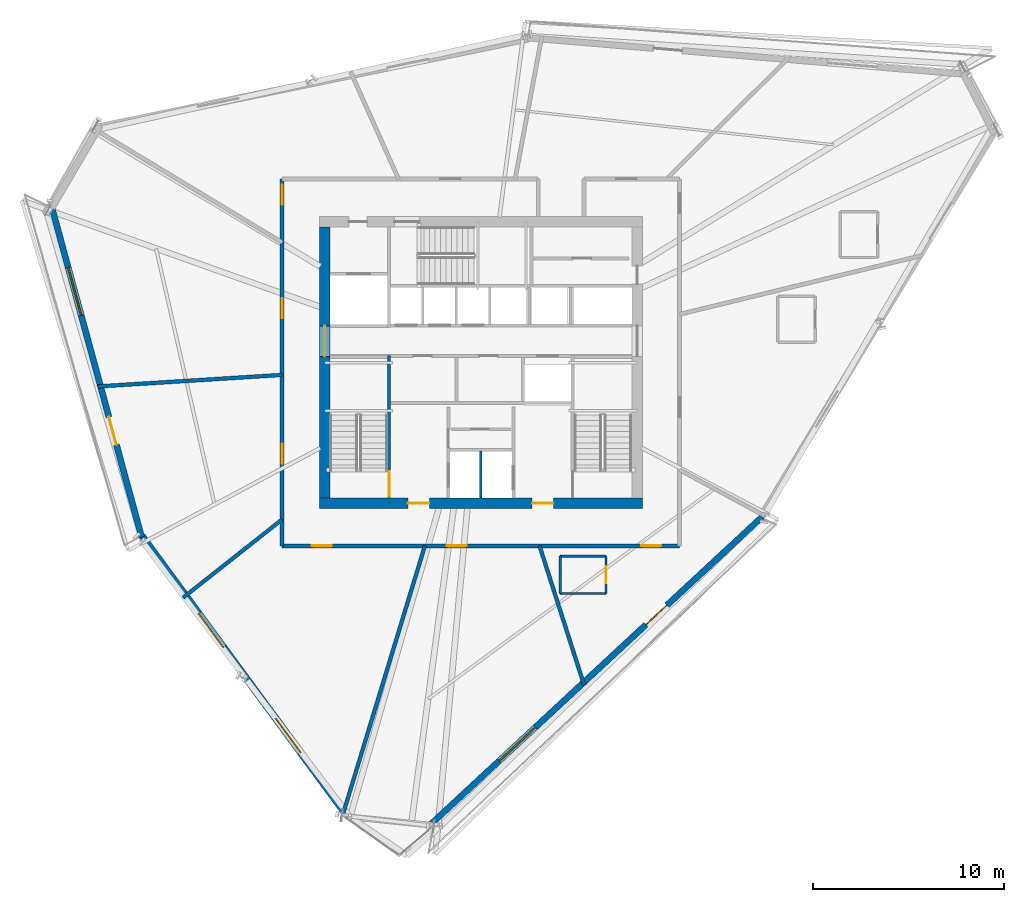
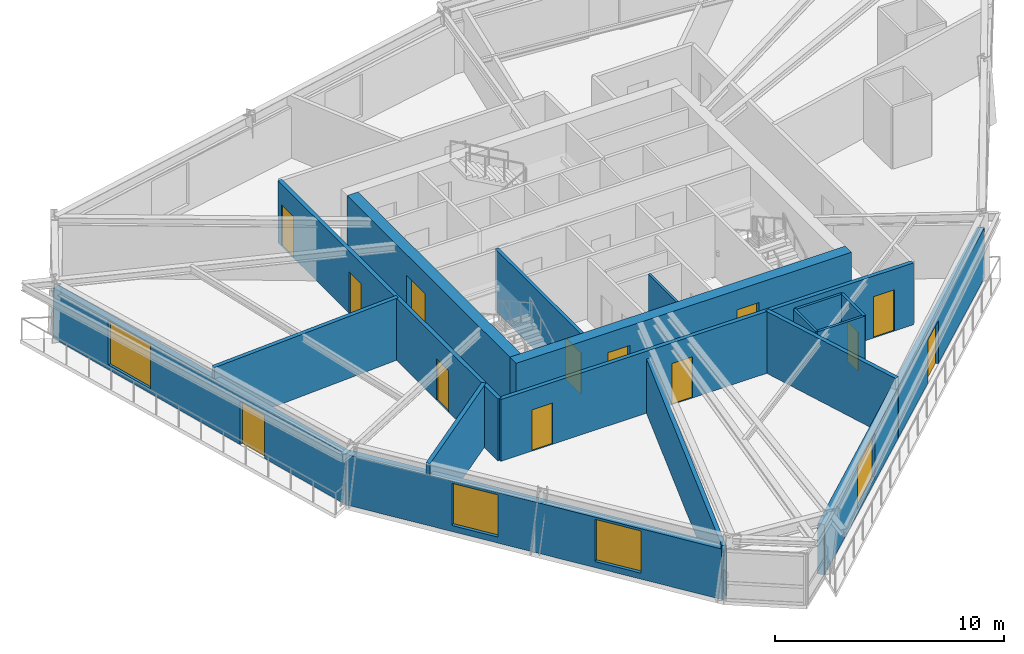
# One storey, part 9 of 15: 17 walls, 13 doors, 4 windows, 17 openings.
"""IFC4 building model written with IfcOpenShell, lengths in metres."""

from ifc_helpers import new_model, si_unit, direction, frame, frame_2d, origin, place, context, subcontext, project, spatial, rectangle, extrude, source, transform, mapped, material, layer, layer_set, type_object, type_shapes, element, fill, save


model = new_model("IFC4")

# Units and contexts
model_context = context("Model", 3, precision=1e-05, world=origin(), true_north=direction((0.0, 1.0)))
body_context = subcontext(model_context, "Body", "Model", "MODEL_VIEW")
ifc_project = project(units=[si_unit("LENGTHUNIT", "METRE"), si_unit("AREAUNIT", "SQUARE_METRE"), si_unit("VOLUMEUNIT", "CUBIC_METRE"), si_unit("PLANEANGLEUNIT", "RADIAN"), si_unit("MASSUNIT", "GRAM", prefix="KILO")], contexts=[model_context])

# Site, building, storey
site_placement = place(None, origin())
site = spatial("IfcSite", under=ifc_project, at=site_placement, CompositionType="ELEMENT")
building_placement = place(site_placement, origin())
building = spatial("IfcBuilding", under=site, at=building_placement, Name="Olszyna Solenne Hotel", CompositionType="ELEMENT")
storey_placement = place(building_placement, frame((0.0, 0.0, 146.60009765625)))
storey = spatial("IfcBuildingStorey", under=building, at=storey_placement, Name="L38", CompositionType="ELEMENT", Elevation=146.60009765625)

# Wall, openings, doors
ifc_material_1 = material(Name="Concrete C50/60", Category="concrete")
ifc_layer_1 = layer(ifc_material_1, 0.550048828125, Name="Concrete C50/60")
ifc_layer_set_1 = layer_set([ifc_layer_1], Name="Concrete C50/60")
wall_type_1 = type_object("IfcWallType", Name="WL-CR550", PredefinedType="SHEAR", material=ifc_layer_set_1)
wall_1_placement = place(storey_placement, frame((46.449951171875, 19.22509765625, 0.0), z_axis=(0.0, 0.0, 1.0), x_axis=(-1.0, 0.0, 0.0)))
wall_1 = element("IfcWall", 1, at=wall_1_placement, inside=storey, type_object=wall_type_1, Name="Core shear wall WL-CR550 CRW-L38-S", PredefinedType="SHEAR", context=body_context, shape_type="SweptSolid", body=[
    extrude(rectangle(XDim=16.89990234375, YDim=0.550048828125, at=frame_2d((8.449951171875, 0.0))), origin(), (0.0, 0.0, 1.0), 3.2998046875),
])
opening_1_placement = place(wall_1_placement, frame((4.64990234375, 0.0, 0.0)))
opening_1 = element("IfcOpeningElement", 2, at=opening_1_placement, cuts=wall_1, Name="Opening FL-L38-1", PredefinedType="OPENING", context=body_context, shape_type="SweptSolid", body=[
    extrude(rectangle(XDim=1.1201171875, YDim=2.25, at=frame_2d((0.56005859375, 1.125))), frame((0.0, 0.28515625, 0.0), z_axis=(0.0, -1.0, 0.0), x_axis=(1.0, 0.0, 0.0)), (0.0, 0.0, 1.0), 0.570068359375),
])
opening_2_placement = place(wall_1_placement, frame((11.14990234375, 0.0, 0.0)))
opening_2 = element("IfcOpeningElement", 3, at=opening_2_placement, cuts=wall_1, Name="Opening FL-L38-2", PredefinedType="OPENING", context=body_context, shape_type="SweptSolid", body=[
    extrude(rectangle(XDim=1.1201171875, YDim=2.25, at=frame_2d((0.56005859375, 1.125))), frame((0.0, 0.28515625, 0.0), z_axis=(0.0, -1.0, 0.0), x_axis=(1.0, 0.0, 0.0)), (0.0, 0.0, 1.0), 0.570068359375),
])
ifc_material_2 = material(Name="Steel S355J2", Category="steel")
door_type_1 = type_object("IfcDoorType", Name="DR-FL1", OperationType="NOTDEFINED", PredefinedType="DOOR", material=ifc_material_2)
shared_shape_1 = source(origin(), body_context, "Body", "SweptSolid", [
    extrude(rectangle(XDim=1.1201171875, YDim=2.25, at=frame_2d((0.56005859375, 1.125))), frame((0.0, 0.02490234375, 0.0), z_axis=(0.0, -1.0, 0.0), x_axis=(1.0, 0.0, 0.0)), (0.0, 0.0, 1.0), 0.050048828125),
])
type_shapes(door_type_1, [shared_shape_1])
door_1_placement = place(opening_1_placement, origin())
door_1 = element("IfcDoor", 4, at=door_1_placement, inside=storey, type_object=door_type_1, Name="Firefighting lift lobby smoke door FL-L38-1", OperationType="SINGLE_SWING_LEFT", OverallHeight=2.25, OverallWidth=1.1201171875, PredefinedType="DOOR", context=body_context, shape_type="MappedRepresentation", body=[
    mapped(shared_shape_1, transform((0.0, 0.0, 0.0), x_axis=(1.0, 0.0, 0.0), y_axis=(0.0, 1.0, 0.0), z_axis=(0.0, 0.0, 1.0), scale=1.0)),
])
fill(opening_1, door_1)
door_2_placement = place(opening_2_placement, origin())
door_2 = element("IfcDoor", 5, at=door_2_placement, inside=storey, type_object=door_type_1, Name="Firefighting lift lobby smoke door FL-L38-2", OperationType="SINGLE_SWING_RIGHT", OverallHeight=2.25, OverallWidth=1.1201171875, PredefinedType="DOOR", context=body_context, shape_type="MappedRepresentation", body=[
    mapped(shared_shape_1, transform((0.0, 0.0, 0.0), x_axis=(1.0, 0.0, 0.0), y_axis=(0.0, 1.0, 0.0), z_axis=(0.0, 0.0, 1.0), scale=1.0)),
])
fill(opening_2, door_2)

# Wall, opening, door
wall_2_placement = place(storey_placement, frame((29.824951171875, 19.5, 0.0), z_axis=(0.0, 0.0, 1.0), x_axis=(0.0, 1.0, 0.0)))
wall_2 = element("IfcWall", 6, at=wall_2_placement, inside=storey, type_object=wall_type_1, Name="Core shear wall WL-CR550 CRW-L38-W", PredefinedType="SHEAR", context=body_context, shape_type="SweptSolid", body=[
    extrude(rectangle(XDim=14.199951171875, YDim=0.550048828125, at=frame_2d((7.10009765625, 0.0))), origin(), (0.0, 0.0, 1.0), 3.2998046875),
])
opening_3_placement = place(wall_2_placement, frame((7.419921875, 0.0, 0.0)))
opening_3 = element("IfcOpeningElement", 7, at=opening_3_placement, cuts=wall_2, Name="Opening LHD-L38-W", PredefinedType="OPENING", context=body_context, shape_type="SweptSolid", body=[
    extrude(rectangle(XDim=1.60009765625, YDim=2.199951171875, at=frame_2d((0.800048828125, 1.10009765625))), frame((0.0, 0.28515625, 0.0), z_axis=(0.0, -1.0, 0.0), x_axis=(1.0, 0.0, 0.0)), (0.0, 0.0, 1.0), 0.570068359375),
])
ifc_material_3 = material(Name="Timber hardwood", Category="wood")
door_type_2 = type_object("IfcDoorType", Name="DR-CR1", OperationType="DOUBLE_DOOR_SINGLE_SWING", PredefinedType="DOOR", material=ifc_material_3)
shared_shape_2 = source(origin(), body_context, "Body", "SweptSolid", [
    extrude(rectangle(XDim=1.60009765625, YDim=2.199951171875, at=frame_2d((0.800048828125, 1.10009765625))), frame((0.0, 0.02490234375, 0.0), z_axis=(0.0, -1.0, 0.0), x_axis=(1.0, 0.0, 0.0)), (0.0, 0.0, 1.0), 0.050048828125),
])
type_shapes(door_type_2, [shared_shape_2])
door_3_placement = place(opening_3_placement, origin())
door_3 = element("IfcDoor", 8, at=door_3_placement, inside=storey, type_object=door_type_2, Name="Passenger lift lobby West fire door LHD-L38-W", OperationType="DOUBLE_DOOR_SINGLE_SWING", OverallHeight=2.199951171875, OverallWidth=1.60009765625, PredefinedType="DOOR", context=body_context, shape_type="MappedRepresentation", body=[
    mapped(shared_shape_2, transform((0.0, 0.0, 0.0), x_axis=(1.0, 0.0, 0.0), y_axis=(0.0, 1.0, 0.0), z_axis=(0.0, 0.0, 1.0), scale=1.0)),
])
fill(opening_3, door_3)

# Wall, openings, door, window
ifc_material_4 = material(Name="Precast concrete C45/55", Category="concrete")
ifc_layer_2 = layer(ifc_material_4, 0.320068359375, Name="Precast concrete C45/55")
ifc_layer_set_2 = layer_set([ifc_layer_2], Name="Precast concrete C45/55")
wall_type_2 = type_object("IfcWallType", Name="WL-EX320", PredefinedType="SOLIDWALL", material=ifc_layer_set_2)
wall_3_placement = place(storey_placement, frame((52.729736328125, 18.531982421875, 0.0), z_axis=(0.0, 0.0, 1.0), x_axis=(-0.73309626957, -0.680124885255, 0.0)))
wall_3 = element("IfcWall", 9, at=wall_3_placement, inside=storey, type_object=wall_type_2, Name="Exterior terracotta-precast frame wall WL-EX320 EW-L38-01", PredefinedType="SOLIDWALL", context=body_context, shape_type="SweptSolid", body=[
    extrude(rectangle(XDim=23.6298828125, YDim=0.320068359375, at=frame_2d((11.81494140625, 0.0))), origin(), (0.0, 0.0, 1.0), 2.69189453125),
])
opening_4_placement = place(wall_3_placement, frame((6.81201171875, 0.0, 0.0)))
opening_4 = element("IfcOpeningElement", 10, at=opening_4_placement, cuts=wall_3, Name="Opening LDG-L38-3", PredefinedType="OPENING", context=body_context, shape_type="SweptSolid", body=[
    extrude(rectangle(XDim=1.5, YDim=2.300048828125, at=frame_2d((0.75, 1.14990234375))), frame((0.0, 0.169921875, 0.0), z_axis=(0.0, -1.0, 0.0), x_axis=(1.0, 0.0, 0.0)), (0.0, 0.0, 1.0), 0.340087890625),
])
opening_5_placement = place(wall_3_placement, frame((16.18603515625, 0.0, 0.25)))
opening_5 = element("IfcOpeningElement", 11, at=opening_5_placement, cuts=wall_3, Name="Opening WN-L38-225", PredefinedType="OPENING", context=body_context, shape_type="SweptSolid", body=[
    extrude(rectangle(XDim=2.60009765625, YDim=2.35009765625, at=frame_2d((1.300048828125, 1.175048828125))), frame((0.0, 0.169921875, 0.0), z_axis=(0.0, -1.0, 0.0), x_axis=(1.0, 0.0, 0.0)), (0.0, 0.0, 1.0), 0.340087890625),
])
ifc_material_5 = material(Name="Anodised bronze aluminium", Category="aluminium")
door_type_3 = type_object("IfcDoorType", Name="DR-LG2", OperationType="DOUBLE_DOOR_SINGLE_SWING", PredefinedType="DOOR", material=ifc_material_5)
shared_shape_3 = source(origin(), body_context, "Body", "SweptSolid", [
    extrude(rectangle(XDim=1.5, YDim=2.300048828125, at=frame_2d((0.75, 1.14990234375))), frame((0.0, 0.02490234375, 0.0), z_axis=(0.0, -1.0, 0.0), x_axis=(1.0, 0.0, 0.0)), (0.0, 0.0, 1.0), 0.050048828125),
])
type_shapes(door_type_3, [shared_shape_3])
door_4_placement = place(opening_4_placement, origin())
door_4 = element("IfcDoor", 12, at=door_4_placement, inside=storey, type_object=door_type_3, Name="Exterior loggia balcony door DR-LG2 LDG-L38-3", OperationType="DOUBLE_DOOR_SINGLE_SWING", OverallHeight=2.300048828125, OverallWidth=1.5, PredefinedType="DOOR", context=body_context, shape_type="MappedRepresentation", body=[
    mapped(shared_shape_3, transform((0.0, 0.0, 0.0), x_axis=(1.0, 0.0, 0.0), y_axis=(0.0, 1.0, 0.0), z_axis=(0.0, 0.0, 1.0), scale=1.0)),
])
fill(opening_4, door_4)
ifc_material_6 = material(Name="Low-E triple glazing", Category="glass")
window_type_1 = type_object("IfcWindowType", Name="WN-ST1", PartitioningType="SINGLE_PANEL", PredefinedType="WINDOW", material=ifc_material_6)
shared_shape_4 = source(origin(), body_context, "Body", "SweptSolid", [
    extrude(rectangle(XDim=2.60009765625, YDim=2.35009765625, at=frame_2d((1.300048828125, 1.175048828125))), frame((0.0, 0.030029296875, 0.0), z_axis=(0.0, -1.0, 0.0), x_axis=(1.0, 0.0, 0.0)), (0.0, 0.0, 1.0), 0.06005859375),
])
type_shapes(window_type_1, [shared_shape_4])
window_1_placement = place(opening_5_placement, origin())
window_1 = element("IfcWindow", 13, at=window_1_placement, inside=storey, type_object=window_type_1, Name="Loggia room window WN-ST1 WN-L38-225", OverallHeight=2.35009765625, OverallWidth=2.60009765625, PartitioningType="SINGLE_PANEL", PredefinedType="WINDOW", context=body_context, shape_type="MappedRepresentation", body=[
    mapped(shared_shape_4, transform((0.0, 0.0, 0.0), x_axis=(1.0, 0.0, 0.0), y_axis=(0.0, 1.0, 0.0), z_axis=(0.0, 0.0, 1.0), scale=1.0)),
])
fill(opening_5, window_1)

wall_4_placement = place(storey_placement, frame((20.24951171875, 17.46044921875, 0.0), z_axis=(0.0, 0.0, 1.0), x_axis=(-0.262728395916, 0.964869830588, 0.0)))
wall_4 = element("IfcWall", 14, at=wall_4_placement, inside=storey, type_object=wall_type_2, Name="Exterior terracotta-precast frame wall WL-EX320 EW-L38-05", PredefinedType="SOLIDWALL", context=body_context, shape_type="SweptSolid", body=[
    extrude(rectangle(XDim=18.00341796875, YDim=0.320068359375, at=frame_2d((9.001708984375, 0.0))), origin(), (0.0, 0.0, 1.0), 2.69189453125),
])
opening_6_placement = place(wall_4_placement, frame((5.010986328125, 0.0, 0.0)))
opening_6 = element("IfcOpeningElement", 15, at=opening_6_placement, cuts=wall_4, Name="Opening LDG-L38-2", PredefinedType="OPENING", context=body_context, shape_type="SweptSolid", body=[
    extrude(rectangle(XDim=1.5, YDim=2.300048828125, at=frame_2d((0.75, 1.14990234375))), frame((0.0, 0.169921875, 0.0), z_axis=(0.0, -1.0, 0.0), x_axis=(1.0, 0.0, 0.0)), (0.0, 0.0, 1.0), 0.340087890625),
])
opening_7_placement = place(wall_4_placement, frame((12.02197265625, 0.0, 0.25)))
opening_7 = element("IfcOpeningElement", 16, at=opening_7_placement, cuts=wall_4, Name="Opening WN-L38-228", PredefinedType="OPENING", context=body_context, shape_type="SweptSolid", body=[
    extrude(rectangle(XDim=2.60009765625, YDim=2.35009765625, at=frame_2d((1.300048828125, 1.175048828125))), frame((0.0, 0.169921875, 0.0), z_axis=(0.0, -1.0, 0.0), x_axis=(1.0, 0.0, 0.0)), (0.0, 0.0, 1.0), 0.340087890625),
])
door_5_placement = place(opening_6_placement, origin())
door_5 = element("IfcDoor", 17, at=door_5_placement, inside=storey, type_object=door_type_3, Name="Exterior loggia balcony door DR-LG2 LDG-L38-2", OperationType="DOUBLE_DOOR_SINGLE_SWING", OverallHeight=2.300048828125, OverallWidth=1.5, PredefinedType="DOOR", context=body_context, shape_type="MappedRepresentation", body=[
    mapped(shared_shape_3, transform((0.0, 0.0, 0.0), x_axis=(1.0, 0.0, 0.0), y_axis=(0.0, 1.0, 0.0), z_axis=(0.0, 0.0, 1.0), scale=1.0)),
])
fill(opening_6, door_5)
window_2_placement = place(opening_7_placement, origin())
window_2 = element("IfcWindow", 18, at=window_2_placement, inside=storey, type_object=window_type_1, Name="Loggia room window WN-ST1 WN-L38-228", OverallHeight=2.35009765625, OverallWidth=2.60009765625, PartitioningType="SINGLE_PANEL", PredefinedType="WINDOW", context=body_context, shape_type="MappedRepresentation", body=[
    mapped(shared_shape_4, transform((0.0, 0.0, 0.0), x_axis=(1.0, 0.0, 0.0), y_axis=(0.0, 1.0, 0.0), z_axis=(0.0, 0.0, 1.0), scale=1.0)),
])
fill(opening_7, window_2)

# Wall, openings, windows
ifc_material_7 = material(Name="Terracotta cladding on precast concrete C45/55", Category="masonry")
ifc_layer_3 = layer(ifc_material_7, 0.3798828125, Name="Terracotta cladding on precast concrete C45/55")
ifc_layer_set_3 = layer_set([ifc_layer_3], Name="Terracotta cladding on precast concrete C45/55")
wall_type_3 = type_object("IfcWallType", Name="WL-EX380", PredefinedType="SOLIDWALL", material=ifc_layer_set_3)
wall_5_placement = place(storey_placement, frame((30.899169921875, 3.01611328125, 0.0), z_axis=(0.0, 0.0, 1.0), x_axis=(-0.591609379136, 0.806224746903, 0.0)))
wall_5 = element("IfcWall", 19, at=wall_5_placement, inside=storey, type_object=wall_type_3, Name="Exterior terracotta-precast frame wall WL-EX380 EW-L38-04", PredefinedType="SOLIDWALL", context=body_context, shape_type="SweptSolid", body=[
    extrude(rectangle(XDim=18.003173828125, YDim=0.3798828125, at=frame_2d((9.00146484375, 0.0))), origin(), (0.0, 0.0, 1.0), 2.69189453125),
])
opening_8_placement = place(wall_5_placement, frame((3.94091796875, 0.0, 0.322021484375)))
opening_8 = element("IfcOpeningElement", 20, at=opening_8_placement, cuts=wall_5, Name="Opening WN-L38-226", PredefinedType="OPENING", context=body_context, shape_type="SweptSolid", body=[
    extrude(rectangle(XDim=2.199951171875, YDim=2.25, at=frame_2d((1.10009765625, 1.125))), frame((0.0, 0.199951171875, 0.0), z_axis=(0.0, -1.0, 0.0), x_axis=(1.0, 0.0, 0.0)), (0.0, 0.0, 1.0), 0.39990234375),
])
opening_9_placement = place(wall_5_placement, frame((10.761962890625, 0.0, 0.322021484375)))
opening_9 = element("IfcOpeningElement", 21, at=opening_9_placement, cuts=wall_5, Name="Opening WN-L38-227", PredefinedType="OPENING", context=body_context, shape_type="SweptSolid", body=[
    extrude(rectangle(XDim=2.199951171875, YDim=2.25, at=frame_2d((1.10009765625, 1.125))), frame((0.0, 0.199951171875, 0.0), z_axis=(0.0, -1.0, 0.0), x_axis=(1.0, 0.0, 0.0)), (0.0, 0.0, 1.0), 0.39990234375),
])
window_type_2 = type_object("IfcWindowType", Name="WN-HT2", PartitioningType="SINGLE_PANEL", PredefinedType="WINDOW", material=ifc_material_6)
shared_shape_5 = source(origin(), body_context, "Body", "SweptSolid", [
    extrude(rectangle(XDim=2.199951171875, YDim=2.25, at=frame_2d((1.10009765625, 1.125))), frame((0.0, 0.030029296875, 0.0), z_axis=(0.0, -1.0, 0.0), x_axis=(1.0, 0.0, 0.0)), (0.0, 0.0, 1.0), 0.06005859375),
])
type_shapes(window_type_2, [shared_shape_5])
window_3_placement = place(opening_8_placement, origin())
window_3 = element("IfcWindow", 22, at=window_3_placement, inside=storey, type_object=window_type_2, Name="Exterior facade window WN-HT2 WN-L38-226", OverallHeight=2.25, OverallWidth=2.199951171875, PartitioningType="SINGLE_PANEL", PredefinedType="WINDOW", context=body_context, shape_type="MappedRepresentation", body=[
    mapped(shared_shape_5, transform((0.0, 0.0, 0.0), x_axis=(1.0, 0.0, 0.0), y_axis=(0.0, 1.0, 0.0), z_axis=(0.0, 0.0, 1.0), scale=1.0)),
])
fill(opening_8, window_3)
window_4_placement = place(opening_9_placement, origin())
window_4 = element("IfcWindow", 23, at=window_4_placement, inside=storey, type_object=window_type_2, Name="Exterior facade window WN-HT2 WN-L38-227", OverallHeight=2.25, OverallWidth=2.199951171875, PartitioningType="SINGLE_PANEL", PredefinedType="WINDOW", context=body_context, shape_type="MappedRepresentation", body=[
    mapped(shared_shape_5, transform((0.0, 0.0, 0.0), x_axis=(1.0, 0.0, 0.0), y_axis=(0.0, 1.0, 0.0), z_axis=(0.0, 0.0, 1.0), scale=1.0)),
])
fill(opening_9, window_4)

# Wall
ifc_material_8 = material(Name="Acoustic gypsum partition", Category="gypsum")
ifc_layer_4 = layer(ifc_material_8, 0.125, Name="Acoustic gypsum partition")
ifc_layer_set_4 = layer_set([ifc_layer_4], Name="Acoustic gypsum partition")
wall_type_4 = type_object("IfcWallType", Name="WL-PT125", PredefinedType="PARTITIONING", material=ifc_layer_set_4)
wall_6_placement = place(storey_placement, frame((38.0, 19.5, 0.0), z_axis=(0.0, 0.0, 1.0), x_axis=(0.0, 1.0, 0.0)))
element("IfcWall", 24, at=wall_6_placement, inside=storey, type_object=wall_type_4, Name="Core shaft compartment wall CW-L38-FFM", PredefinedType="PARTITIONING", context=body_context, shape_type="SweptSolid", body=[
    extrude(rectangle(XDim=2.4599609375, YDim=0.125, at=frame_2d((1.22998046875, 0.0))), origin(), (0.0, 0.0, 1.0), 3.2998046875),
])

# Wall, opening, door
wall_7_placement = place(storey_placement, frame((44.547119140625, 14.513916015625, 0.0), z_axis=(0.0, 0.0, 1.0), x_axis=(0.0, 1.0, 0.0)))
wall_7 = element("IfcWall", 25, at=wall_7_placement, inside=storey, type_object=wall_type_4, Name="Interior acoustic partition WL-PT125 PW-L38-2163", PredefinedType="PARTITIONING", context=body_context, shape_type="SweptSolid", body=[
    extrude(rectangle(XDim=1.9501953125, YDim=0.125, at=frame_2d((0.97509765625, 0.0))), origin(), (0.0, 0.0, 1.0), 3.2998046875),
])
opening_10_placement = place(wall_7_placement, frame((0.52490234375, 0.0, 0.0)))
opening_10 = element("IfcOpeningElement", 26, at=opening_10_placement, cuts=wall_7, Name="Opening DR-L38-0522", PredefinedType="OPENING", context=body_context, shape_type="SweptSolid", body=[
    extrude(rectangle(XDim=0.89990234375, YDim=2.10009765625, at=frame_2d((0.449951171875, 1.050048828125))), frame((0.0, 0.072509765625, 0.0), z_axis=(0.0, -1.0, 0.0), x_axis=(1.0, 0.0, 0.0)), (0.0, 0.0, 1.0), 0.14501953125),
])
door_type_4 = type_object("IfcDoorType", Name="DR-WC1", OperationType="NOTDEFINED", PredefinedType="DOOR", material=ifc_material_3)
shared_shape_6 = source(origin(), body_context, "Body", "SweptSolid", [
    extrude(rectangle(XDim=0.89990234375, YDim=2.10009765625, at=frame_2d((0.449951171875, 1.050048828125))), frame((0.0, 0.02490234375, 0.0), z_axis=(0.0, -1.0, 0.0), x_axis=(1.0, 0.0, 0.0)), (0.0, 0.0, 1.0), 0.050048828125),
])
type_shapes(door_type_4, [shared_shape_6])
door_6_placement = place(opening_10_placement, origin())
door_6 = element("IfcDoor", 27, at=door_6_placement, inside=storey, type_object=door_type_4, Name="En-Suite Bathroom Door DR-L38-0522", OperationType="SINGLE_SWING_LEFT", OverallHeight=2.10009765625, OverallWidth=0.89990234375, PredefinedType="DOOR", context=body_context, shape_type="MappedRepresentation", body=[
    mapped(shared_shape_6, transform((0.0, 0.0, 0.0), x_axis=(1.0, 0.0, 0.0), y_axis=(0.0, 1.0, 0.0), z_axis=(0.0, 0.0, 1.0), scale=1.0)),
])
fill(opening_10, door_6)

# Walls
wall_8_placement = place(storey_placement, frame((44.547119140625, 16.464111328125, 0.0), z_axis=(0.0, 0.0, 1.0), x_axis=(-1.0, 0.0, 0.0)))
element("IfcWall", 28, at=wall_8_placement, inside=storey, type_object=wall_type_4, Name="Interior acoustic partition WL-PT125 PW-L38-2164", PredefinedType="PARTITIONING", context=body_context, shape_type="SweptSolid", body=[
    extrude(rectangle(XDim=2.400146484375, YDim=0.125, at=frame_2d((1.2001953125, 0.0))), origin(), (0.0, 0.0, 1.0), 3.2998046875),
])
wall_9_placement = place(storey_placement, frame((42.14697265625, 16.464111328125, 0.0), z_axis=(0.0, 0.0, 1.0), x_axis=(0.0, -1.0, 0.0)))
element("IfcWall", 29, at=wall_9_placement, inside=storey, type_object=wall_type_4, Name="Interior acoustic partition WL-PT125 PW-L38-2165", PredefinedType="PARTITIONING", context=body_context, shape_type="SweptSolid", body=[
    extrude(rectangle(XDim=1.9501953125, YDim=0.125, at=frame_2d((0.97509765625, 0.0))), origin(), (0.0, 0.0, 1.0), 3.2998046875),
])
wall_10_placement = place(storey_placement, frame((42.14697265625, 14.513916015625, 0.0), z_axis=(0.0, 0.0, 1.0), x_axis=(1.0, 0.0, 0.0)))
element("IfcWall", 30, at=wall_10_placement, inside=storey, type_object=wall_type_4, Name="Interior acoustic partition WL-PT125 PW-L38-2166", PredefinedType="PARTITIONING", context=body_context, shape_type="SweptSolid", body=[
    extrude(rectangle(XDim=2.400146484375, YDim=0.125, at=frame_2d((1.2001953125, 0.0))), origin(), (0.0, 0.0, 1.0), 3.2998046875),
])

# Wall, opening, door
ifc_layer_5 = layer(ifc_material_8, 0.159912109375, Name="Acoustic gypsum partition")
ifc_layer_set_5 = layer_set([ifc_layer_5], Name="Acoustic gypsum partition")
wall_type_5 = type_object("IfcWallType", Name="WL-PT160", PredefinedType="PARTITIONING", material=ifc_layer_set_5)
wall_11_placement = place(storey_placement, frame((33.199951171875, 19.5, 0.0), z_axis=(0.0, 0.0, 1.0), x_axis=(0.0, 1.0, 0.0)))
wall_11 = element("IfcWall", 31, at=wall_11_placement, inside=storey, type_object=wall_type_5, Name="Core shaft compartment wall CW-L38-ST1E", PredefinedType="PARTITIONING", context=body_context, shape_type="SweptSolid", body=[
    extrude(rectangle(XDim=7.4599609375, YDim=0.159912109375, at=frame_2d((3.72998046875, 0.0))), origin(), (0.0, 0.0, 1.0), 3.2998046875),
])
opening_11_placement = place(wall_11_placement, frame((0.080078125, 0.0, 0.0)))
opening_11 = element("IfcOpeningElement", 32, at=opening_11_placement, cuts=wall_11, Name="Opening STD-L38-01", PredefinedType="OPENING", context=body_context, shape_type="SweptSolid", body=[
    extrude(rectangle(XDim=1.320068359375, YDim=2.199951171875, at=frame_2d((0.66015625, 1.10009765625))), frame((0.0, 0.08984375, 0.0), z_axis=(0.0, -1.0, 0.0), x_axis=(1.0, 0.0, 0.0)), (0.0, 0.0, 1.0), 0.179931640625),
])
door_type_5 = type_object("IfcDoorType", Name="DR-ST1", OperationType="NOTDEFINED", PredefinedType="DOOR", material=ifc_material_2)
shared_shape_7 = source(origin(), body_context, "Body", "SweptSolid", [
    extrude(rectangle(XDim=1.320068359375, YDim=2.199951171875, at=frame_2d((0.66015625, 1.10009765625))), frame((0.0, 0.02490234375, 0.0), z_axis=(0.0, -1.0, 0.0), x_axis=(1.0, 0.0, 0.0)), (0.0, 0.0, 1.0), 0.050048828125),
])
type_shapes(door_type_5, [shared_shape_7])
door_7_placement = place(opening_11_placement, origin())
door_7 = element("IfcDoor", 33, at=door_7_placement, inside=storey, type_object=door_type_5, Name="Pressurised exit stair ST1 fire door STD-L38-01", OperationType="SINGLE_SWING_LEFT", OverallHeight=2.199951171875, OverallWidth=1.320068359375, PredefinedType="DOOR", context=body_context, shape_type="MappedRepresentation", body=[
    mapped(shared_shape_7, transform((0.0, 0.0, 0.0), x_axis=(1.0, 0.0, 0.0), y_axis=(0.0, 1.0, 0.0), z_axis=(0.0, 0.0, 1.0), scale=1.0)),
])
fill(opening_11, door_7)

# Walls
ifc_layer_6 = layer(ifc_material_8, 0.199951171875, Name="Acoustic gypsum partition")
ifc_layer_set_6 = layer_set([ifc_layer_6], Name="Acoustic gypsum partition")
wall_type_6 = type_object("IfcWallType", Name="WL-PT200", PredefinedType="PARTITIONING", material=ifc_layer_set_6)
wall_12_placement = place(storey_placement, frame((27.60009765625, 25.94873046875, 0.0), z_axis=(0.0, 0.0, 1.0), x_axis=(-0.998046076706, -0.062482227644, 0.0)))
element("IfcWall", 34, at=wall_12_placement, inside=storey, type_object=wall_type_6, Name="Interior acoustic partition WL-PT200 PW-L38-2157", PredefinedType="PARTITIONING", context=body_context, shape_type="SweptSolid", body=[
    extrude(rectangle(XDim=9.651123046875, YDim=0.199951171875, at=frame_2d((4.82568359375, 0.0))), origin(), (0.0, 0.0, 1.0), 3.2998046875),
])
wall_13_placement = place(storey_placement, frame((27.60009765625, 18.385498046875, 0.0), z_axis=(0.0, 0.0, 1.0), x_axis=(-0.784734967532, -0.619831453487, 0.0)))
element("IfcWall", 35, at=wall_13_placement, inside=storey, type_object=wall_type_6, Name="Interior acoustic partition WL-PT200 PW-L38-2158", PredefinedType="PARTITIONING", context=body_context, shape_type="SweptSolid", body=[
    extrude(rectangle(XDim=6.59716796875, YDim=0.199951171875, at=frame_2d((3.298583984375, 0.0))), origin(), (0.0, 0.0, 1.0), 3.2998046875),
])
wall_14_placement = place(storey_placement, frame((35.069580078125, 17.0, 0.0), z_axis=(0.0, 0.0, 1.0), x_axis=(-0.29195683842, -0.956431494933, 0.0)))
element("IfcWall", 36, at=wall_14_placement, inside=storey, type_object=wall_type_6, Name="Interior acoustic partition WL-PT200 PW-L38-2159", PredefinedType="PARTITIONING", context=body_context, shape_type="SweptSolid", body=[
    extrude(rectangle(XDim=14.71923828125, YDim=0.199951171875, at=frame_2d((7.359619140625, 0.0))), origin(), (0.0, 0.0, 1.0), 2.89501953125),
])
wall_15_placement = place(storey_placement, frame((41.072265625, 17.0, 0.0), z_axis=(0.0, 0.0, 1.0), x_axis=(0.304787292701, -0.952420446131, 0.0)))
element("IfcWall", 37, at=wall_15_placement, inside=storey, type_object=wall_type_6, Name="Interior acoustic partition WL-PT200 PW-L38-2160", PredefinedType="PARTITIONING", context=body_context, shape_type="SweptSolid", body=[
    extrude(rectangle(XDim=7.659423828125, YDim=0.199951171875, at=frame_2d((3.82958984375, 0.0))), origin(), (0.0, 0.0, 1.0), 3.2998046875),
])

# Wall, openings, doors
wall_16_placement = place(storey_placement, frame((27.60009765625, 17.0, 0.0), z_axis=(0.0, 0.0, 1.0), x_axis=(1.0, 0.0, 0.0)))
wall_16 = element("IfcWall", 38, at=wall_16_placement, inside=storey, type_object=wall_type_6, Name="Interior acoustic partition WL-PT200 PW-L38-2175", PredefinedType="PARTITIONING", context=body_context, shape_type="SweptSolid", body=[
    extrude(rectangle(XDim=20.7998046875, YDim=0.199951171875, at=frame_2d((10.39990234375, 0.0))), origin(), (0.0, 0.0, 1.0), 3.2998046875),
])
opening_12_placement = place(wall_16_placement, frame((1.56005859375, 0.0, 0.0)))
opening_12 = element("IfcOpeningElement", 39, at=opening_12_placement, cuts=wall_16, Name="Opening DR-L38-0525", PredefinedType="OPENING", context=body_context, shape_type="SweptSolid", body=[
    extrude(rectangle(XDim=1.050048828125, YDim=2.199951171875, at=frame_2d((0.52490234375, 1.10009765625))), frame((0.0, 0.10986328125, 0.0), z_axis=(0.0, -1.0, 0.0), x_axis=(1.0, 0.0, 0.0)), (0.0, 0.0, 1.0), 0.219970703125),
])
opening_13_placement = place(wall_16_placement, frame((8.615966796875, 0.0, 0.0)))
opening_13 = element("IfcOpeningElement", 40, at=opening_13_placement, cuts=wall_16, Name="Opening DR-L38-0526", PredefinedType="OPENING", context=body_context, shape_type="SweptSolid", body=[
    extrude(rectangle(XDim=1.050048828125, YDim=2.199951171875, at=frame_2d((0.52490234375, 1.10009765625))), frame((0.0, 0.10986328125, 0.0), z_axis=(0.0, -1.0, 0.0), x_axis=(1.0, 0.0, 0.0)), (0.0, 0.0, 1.0), 0.219970703125),
])
opening_14_placement = place(wall_16_placement, frame((18.781005859375, 0.0, 0.0)))
opening_14 = element("IfcOpeningElement", 41, at=opening_14_placement, cuts=wall_16, Name="Opening DR-L38-0527", PredefinedType="OPENING", context=body_context, shape_type="SweptSolid", body=[
    extrude(rectangle(XDim=1.050048828125, YDim=2.199951171875, at=frame_2d((0.52490234375, 1.10009765625))), frame((0.0, 0.10986328125, 0.0), z_axis=(0.0, -1.0, 0.0), x_axis=(1.0, 0.0, 0.0)), (0.0, 0.0, 1.0), 0.219970703125),
])
door_type_6 = type_object("IfcDoorType", Name="DR-RM2", OperationType="NOTDEFINED", PredefinedType="DOOR", material=ifc_material_3)
shared_shape_8 = source(origin(), body_context, "Body", "SweptSolid", [
    extrude(rectangle(XDim=1.050048828125, YDim=2.199951171875, at=frame_2d((0.52490234375, 1.10009765625))), frame((0.0, 0.02490234375, 0.0), z_axis=(0.0, -1.0, 0.0), x_axis=(1.0, 0.0, 0.0)), (0.0, 0.0, 1.0), 0.050048828125),
])
type_shapes(door_type_6, [shared_shape_8])
door_8_placement = place(opening_12_placement, origin())
door_8 = element("IfcDoor", 42, at=door_8_placement, inside=storey, type_object=door_type_6, Name="Private Business Office Entrance Door DR-L38-0525", OperationType="SINGLE_SWING_RIGHT", OverallHeight=2.199951171875, OverallWidth=1.050048828125, PredefinedType="DOOR", context=body_context, shape_type="MappedRepresentation", body=[
    mapped(shared_shape_8, transform((0.0, 0.0, 0.0), x_axis=(1.0, 0.0, 0.0), y_axis=(0.0, 1.0, 0.0), z_axis=(0.0, 0.0, 1.0), scale=1.0)),
])
fill(opening_12, door_8)
door_9_placement = place(opening_13_placement, origin())
door_9 = element("IfcDoor", 43, at=door_9_placement, inside=storey, type_object=door_type_6, Name="Private Business Office Entrance Door DR-L38-0526", OperationType="SINGLE_SWING_LEFT", OverallHeight=2.199951171875, OverallWidth=1.050048828125, PredefinedType="DOOR", context=body_context, shape_type="MappedRepresentation", body=[
    mapped(shared_shape_8, transform((0.0, 0.0, 0.0), x_axis=(1.0, 0.0, 0.0), y_axis=(0.0, 1.0, 0.0), z_axis=(0.0, 0.0, 1.0), scale=1.0)),
])
fill(opening_13, door_9)
door_10_placement = place(opening_14_placement, origin())
door_10 = element("IfcDoor", 44, at=door_10_placement, inside=storey, type_object=door_type_6, Name="Deluxe Hotel Guestroom Entrance Door DR-L38-0527", OperationType="SINGLE_SWING_RIGHT", OverallHeight=2.199951171875, OverallWidth=1.050048828125, PredefinedType="DOOR", context=body_context, shape_type="MappedRepresentation", body=[
    mapped(shared_shape_8, transform((0.0, 0.0, 0.0), x_axis=(1.0, 0.0, 0.0), y_axis=(0.0, 1.0, 0.0), z_axis=(0.0, 0.0, 1.0), scale=1.0)),
])
fill(opening_14, door_10)

wall_17_placement = place(storey_placement, frame((27.60009765625, 17.0, 0.0), z_axis=(0.0, 0.0, 1.0), x_axis=(0.0, 1.0, 0.0)))
wall_17 = element("IfcWall", 45, at=wall_17_placement, inside=storey, type_object=wall_type_6, Name="Interior acoustic partition WL-PT200 PW-L38-2176", PredefinedType="PARTITIONING", context=body_context, shape_type="SweptSolid", body=[
    extrude(rectangle(XDim=19.199951171875, YDim=0.199951171875, at=frame_2d((9.60009765625, 0.0))), origin(), (0.0, 0.0, 1.0), 3.2998046875),
])
opening_15_placement = place(wall_17_placement, frame((17.85009765625, 0.0, 0.0)))
opening_15 = element("IfcOpeningElement", 46, at=opening_15_placement, cuts=wall_17, Name="Opening DR-L38-0528", PredefinedType="OPENING", context=body_context, shape_type="SweptSolid", body=[
    extrude(rectangle(XDim=1.050048828125, YDim=2.199951171875, at=frame_2d((0.52490234375, 1.10009765625))), frame((0.0, 0.10986328125, 0.0), z_axis=(0.0, -1.0, 0.0), x_axis=(1.0, 0.0, 0.0)), (0.0, 0.0, 1.0), 0.219970703125),
])
opening_16_placement = place(wall_17_placement, frame((11.91796875, 0.0, 0.0)))
opening_16 = element("IfcOpeningElement", 47, at=opening_16_placement, cuts=wall_17, Name="Opening DR-L38-0529", PredefinedType="OPENING", context=body_context, shape_type="SweptSolid", body=[
    extrude(rectangle(XDim=1.050048828125, YDim=2.199951171875, at=frame_2d((0.52490234375, 1.10009765625))), frame((0.0, 0.10986328125, 0.0), z_axis=(0.0, -1.0, 0.0), x_axis=(1.0, 0.0, 0.0)), (0.0, 0.0, 1.0), 0.219970703125),
])
opening_17_placement = place(wall_17_placement, frame((4.31103515625, 0.0, 0.0)))
opening_17 = element("IfcOpeningElement", 48, at=opening_17_placement, cuts=wall_17, Name="Opening DR-L38-0530", PredefinedType="OPENING", context=body_context, shape_type="SweptSolid", body=[
    extrude(rectangle(XDim=1.050048828125, YDim=2.199951171875, at=frame_2d((0.52490234375, 1.10009765625))), frame((0.0, 0.10986328125, 0.0), z_axis=(0.0, -1.0, 0.0), x_axis=(1.0, 0.0, 0.0)), (0.0, 0.0, 1.0), 0.219970703125),
])
door_11_placement = place(opening_15_placement, origin())
door_11 = element("IfcDoor", 49, at=door_11_placement, inside=storey, type_object=door_type_6, Name="Private Business Office Entrance Door DR-L38-0528", OperationType="SINGLE_SWING_LEFT", OverallHeight=2.199951171875, OverallWidth=1.050048828125, PredefinedType="DOOR", context=body_context, shape_type="MappedRepresentation", body=[
    mapped(shared_shape_8, transform((0.0, 0.0, 0.0), x_axis=(1.0, 0.0, 0.0), y_axis=(0.0, 1.0, 0.0), z_axis=(0.0, 0.0, 1.0), scale=1.0)),
])
fill(opening_15, door_11)
door_12_placement = place(opening_16_placement, origin())
door_12 = element("IfcDoor", 50, at=door_12_placement, inside=storey, type_object=door_type_6, Name="Private Business Office Entrance Door DR-L38-0529", OperationType="SINGLE_SWING_RIGHT", OverallHeight=2.199951171875, OverallWidth=1.050048828125, PredefinedType="DOOR", context=body_context, shape_type="MappedRepresentation", body=[
    mapped(shared_shape_8, transform((0.0, 0.0, 0.0), x_axis=(1.0, 0.0, 0.0), y_axis=(0.0, 1.0, 0.0), z_axis=(0.0, 0.0, 1.0), scale=1.0)),
])
fill(opening_16, door_12)
door_13_placement = place(opening_17_placement, origin())
door_13 = element("IfcDoor", 51, at=door_13_placement, inside=storey, type_object=door_type_6, Name="Private Business Office Entrance Door DR-L38-0530", OperationType="SINGLE_SWING_LEFT", OverallHeight=2.199951171875, OverallWidth=1.050048828125, PredefinedType="DOOR", context=body_context, shape_type="MappedRepresentation", body=[
    mapped(shared_shape_8, transform((0.0, 0.0, 0.0), x_axis=(1.0, 0.0, 0.0), y_axis=(0.0, 1.0, 0.0), z_axis=(0.0, 0.0, 1.0), scale=1.0)),
])
fill(opening_17, door_13)

save(model, "model.ifc")
